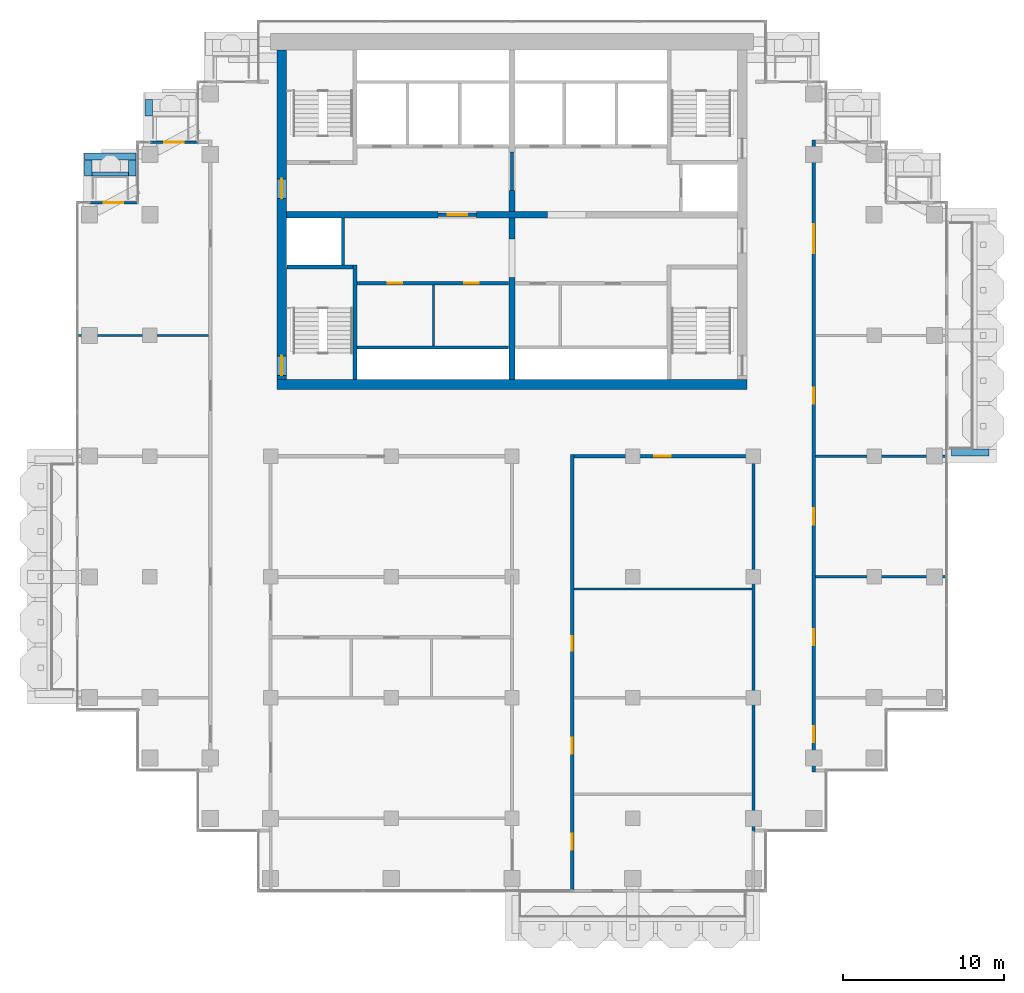
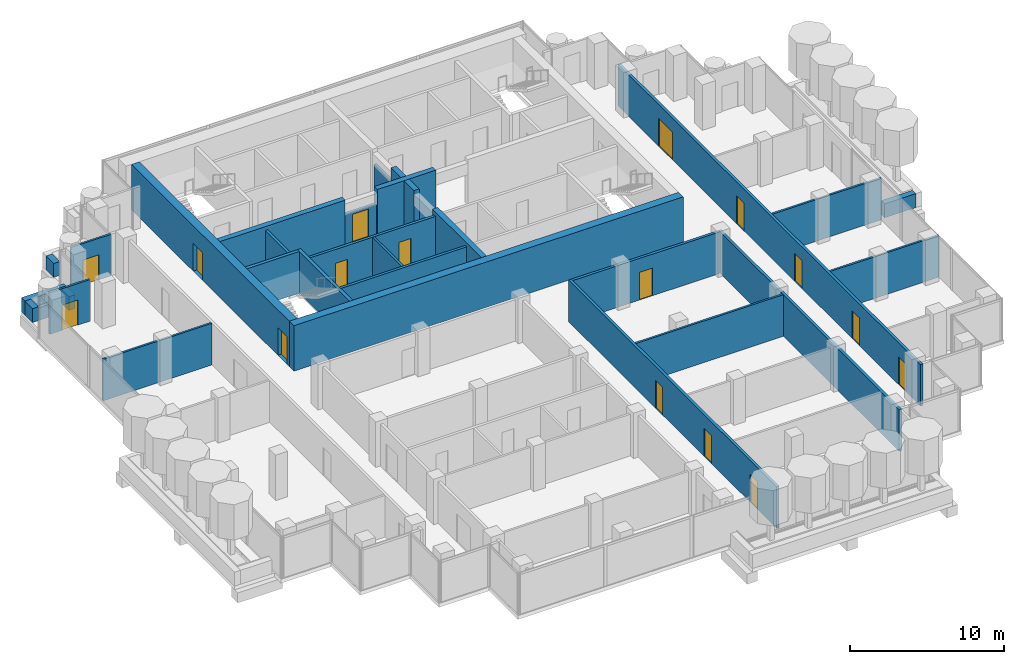
# One storey, part 12 of 18: 31 walls, 16 doors, 16 openings.
"""IFC4 building model written with IfcOpenShell, lengths in metres."""

from ifc_helpers import new_model, si_unit, direction, frame, frame_2d, origin, place, context, subcontext, project, spatial, rectangle, extrude, material, layer, layer_set, type_object, element, fill, save


model = new_model("IFC4")

# Units and contexts
model_context = context("Model", 3, precision=1e-05, world=origin(), true_north=direction((0.0, 1.0)))
body_context = subcontext(model_context, "Body", "Model", "MODEL_VIEW")
ifc_project = project(units=[si_unit("LENGTHUNIT", "METRE"), si_unit("AREAUNIT", "SQUARE_METRE"), si_unit("VOLUMEUNIT", "CUBIC_METRE"), si_unit("PLANEANGLEUNIT", "RADIAN"), si_unit("MASSUNIT", "GRAM", prefix="KILO")], contexts=[model_context])

# Site, building, storey
site_placement = place(None, origin())
site = spatial("IfcSite", under=ifc_project, at=site_placement, CompositionType="ELEMENT")
building_placement = place(site_placement, origin())
building = spatial("IfcBuilding", under=site, at=building_placement, Name="Pilkhan Gate Tower", CompositionType="ELEMENT")
storey_placement = place(building_placement, frame((0.0, 0.0, 203.10009765625)))
storey = spatial("IfcBuildingStorey", under=building, at=storey_placement, Name="L52", CompositionType="ELEMENT", Elevation=203.10009765625)

# Walls
ifc_material_1 = material(Name="Concrete C40/50", Category="concrete")
ifc_layer_1 = layer(ifc_material_1, 0.25)
ifc_layer_set_1 = layer_set([ifc_layer_1], Name="Balcony planter BP250")
wall_type_1 = type_object("IfcWallType", Name="Balcony planter BP250", PredefinedType="USERDEFINED", material=ifc_layer_set_1)
wall_1_placement = place(storey_placement, frame((48.89990234375, 85.02490234375, 0.0), z_axis=(0.0, 0.0, 1.0), x_axis=(1.0, 0.0, 0.0)))
element("IfcWall", 1, at=wall_1_placement, inside=storey, type_object=wall_type_1, Name="Balcony planter L52 N", ObjectType="BALCONY PLANTER", PredefinedType="USERDEFINED", context=body_context, shape_type="SweptSolid", body=[
    extrude(rectangle(XDim=2.280029296875, YDim=0.25, at=frame_2d((1.14013671875, 0.0))), origin(), (0.0, 0.0, 1.0), 1.0),
])
ifc_material_2 = material(Name="Board-marked Concrete C40/50", Category="concrete")
ifc_layer_2 = layer(ifc_material_2, 0.449951171875)
ifc_layer_set_2 = layer_set([ifc_layer_2], Name="Balcony planter lip BL450")
wall_type_2 = type_object("IfcWallType", Name="Balcony planter lip BL450", PredefinedType="USERDEFINED", material=ifc_layer_set_2)
wall_2_placement = place(storey_placement, frame((102.300048828125, 67.72509765625, 0.0), z_axis=(0.0, 0.0, 1.0), x_axis=(1.0, 0.0, 0.0)))
element("IfcWall", 2, at=wall_2_placement, inside=storey, type_object=wall_type_2, Name="Balcony planter L52 E", ObjectType="BALCONY PLANTER", PredefinedType="USERDEFINED", context=body_context, shape_type="SweptSolid", body=[
    extrude(rectangle(XDim=2.349853515625, YDim=0.449951171875, at=frame_2d((1.1748046875, 0.0))), origin(), (0.0, 0.0, 1.0), 1.099853515625),
])
wall_3_placement = place(storey_placement, frame((52.425048828125, 88.64990234375, 0.0), z_axis=(0.0, 0.0, 1.0), x_axis=(0.0, 1.0, 0.0)))
element("IfcWall", 3, at=wall_3_placement, inside=storey, type_object=wall_type_2, Name="Balcony planter L52 N", ObjectType="BALCONY PLANTER", PredefinedType="USERDEFINED", context=body_context, shape_type="SweptSolid", body=[
    extrude(rectangle(XDim=1.0, YDim=0.449951171875, at=frame_2d((0.5, 0.0))), origin(), (0.0, 0.0, 1.0), 1.099853515625),
])
wall_4_placement = place(storey_placement, frame((48.449951171875, 86.125, 0.0), z_axis=(0.0, 0.0, 1.0), x_axis=(1.0, 0.0, 0.0)))
element("IfcWall", 4, at=wall_4_placement, inside=storey, type_object=wall_type_2, Name="Balcony planter L52 N", ObjectType="BALCONY PLANTER", PredefinedType="USERDEFINED", context=body_context, shape_type="SweptSolid", body=[
    extrude(rectangle(XDim=3.179931640625, YDim=0.449951171875, at=frame_2d((1.58984375, 0.0))), origin(), (0.0, 0.0, 1.0), 1.099853515625),
])
for number, where, z_axis, x_axis, name in (
    (5, (48.675048828125, 84.89990234375, 0.0), (0.0, 0.0, 1.0), (0.0, 1.0, 0.0), "Balcony planter L52 N"),
    (6, (51.405029296875, 84.89990234375, 0.0), (0.0, 0.0, 1.0), (0.0, 1.0, 0.0), "Balcony planter L52 N"),
):
    element("IfcWall", number, at=place(storey_placement, frame(where, z_axis=z_axis, x_axis=x_axis)), inside=storey, type_object=wall_type_2, Name=name, ObjectType="BALCONY PLANTER", PredefinedType="USERDEFINED", context=body_context, shape_type="SweptSolid", body=[
        extrude(rectangle(XDim=1.0, YDim=0.449951171875, at=frame_2d((0.5, 0.0))), origin(), (0.0, 0.0, 1.0), 1.099853515625),
    ])
ifc_material_3 = material(Name="Concrete C50/60", Category="concrete")
ifc_layer_3 = layer(ifc_material_3, 0.60009765625)
ifc_layer_set_3 = layer_set([ifc_layer_3], Name="Core wall CW600 C50/60")
wall_type_3 = type_object("IfcWallType", Name="Core wall CW600 C50/60", PredefinedType="SHEAR", material=ifc_layer_set_3)
wall_5_placement = place(storey_placement, frame((60.39990234375, 71.949951171875, 0.0), z_axis=(0.0, 0.0, 1.0), x_axis=(1.0, 0.0, 0.0)))
element("IfcWall", 7, at=wall_5_placement, inside=storey, type_object=wall_type_3, Name="Core wall S L52", PredefinedType="SHEAR", context=body_context, shape_type="SweptSolid", body=[
    extrude(rectangle(XDim=29.2001953125, YDim=0.60009765625, at=frame_2d((14.60009765625, 0.0))), origin(), (0.0, 0.0, 1.0), 3.599853515625),
])

# Wall, openings, doors
wall_6_placement = place(storey_placement, frame((60.699951171875, 92.75, 0.0), z_axis=(0.0, 0.0, 1.0), x_axis=(0.0, -1.0, 0.0)))
wall_6 = element("IfcWall", 8, at=wall_6_placement, inside=storey, type_object=wall_type_3, Name="Core wall W L52", PredefinedType="SHEAR", context=body_context, shape_type="SweptSolid", body=[
    extrude(rectangle(XDim=20.5, YDim=0.60009765625, at=frame_2d((10.25, 0.0))), origin(), (0.0, 0.0, 1.0), 3.599853515625),
])
opening_1_placement = place(wall_6_placement, frame((19.02490234375, 0.0, 0.0)))
opening_1 = element("IfcOpeningElement", 9, at=opening_1_placement, cuts=wall_6, Name="Opening L52-04", PredefinedType="OPENING", context=body_context, shape_type="SweptSolid", body=[
    extrude(rectangle(XDim=1.199951171875, YDim=2.199951171875, at=frame_2d((0.60009765625, 1.10009765625))), frame((0.0, 0.31005859375, 0.0), z_axis=(0.0, -1.0, 0.0), x_axis=(1.0, 0.0, 0.0)), (0.0, 0.0, 1.0), 0.6201171875),
])
opening_2_placement = place(wall_6_placement, frame((8.02490234375, 0.0, 0.0)))
opening_2 = element("IfcOpeningElement", 10, at=opening_2_placement, cuts=wall_6, Name="Opening L52-07", PredefinedType="OPENING", context=body_context, shape_type="SweptSolid", body=[
    extrude(rectangle(XDim=1.199951171875, YDim=2.199951171875, at=frame_2d((0.60009765625, 1.10009765625))), frame((0.0, 0.31005859375, 0.0), z_axis=(0.0, -1.0, 0.0), x_axis=(1.0, 0.0, 0.0)), (0.0, 0.0, 1.0), 0.6201171875),
])
ifc_material_4 = material(Name="Steel door, 120 minute fire resisting, self-closing", Category="steel")
door_type_1 = type_object("IfcDoorType", Name="Firefighting lobby door D10 1200x2200", OperationType="SINGLE_SWING_LEFT", PredefinedType="DOOR", material=ifc_material_4)
door_1_placement = place(opening_2_placement, origin())
door_1 = element("IfcDoor", 11, at=door_1_placement, inside=storey, type_object=door_type_1, Name="Core door", OperationType="SINGLE_SWING_LEFT", OverallHeight=2.199951171875, OverallWidth=1.199951171875, PredefinedType="DOOR", context=body_context, shape_type="SweptSolid", body=[
    extrude(rectangle(XDim=1.199951171875, YDim=2.199951171875, at=frame_2d((0.60009765625, 1.10009765625))), frame((0.0, 0.02490234375, 0.0), z_axis=(0.0, -1.0, 0.0), x_axis=(1.0, 0.0, 0.0)), (0.0, 0.0, 1.0), 0.050048828125),
])
fill(opening_2, door_1)
ifc_material_5 = material(Name="Steel door, 120 minute fire resisting, panic bar", Category="steel")
door_type_2 = type_object("IfcDoorType", Name="Stair door D11 1200x2200", OperationType="SINGLE_SWING_LEFT", PredefinedType="DOOR", material=ifc_material_5)
door_2_placement = place(opening_1_placement, origin())
door_2 = element("IfcDoor", 12, at=door_2_placement, inside=storey, type_object=door_type_2, Name="Stair ST2 door", OperationType="SINGLE_SWING_LEFT", OverallHeight=2.199951171875, OverallWidth=1.199951171875, PredefinedType="DOOR", context=body_context, shape_type="SweptSolid", body=[
    extrude(rectangle(XDim=1.199951171875, YDim=2.199951171875, at=frame_2d((0.60009765625, 1.10009765625))), frame((0.0, 0.02490234375, 0.0), z_axis=(0.0, -1.0, 0.0), x_axis=(1.0, 0.0, 0.0)), (0.0, 0.0, 1.0), 0.050048828125),
])
fill(opening_1, door_2)

# Wall, opening, door
ifc_material_6 = material(Name="Dense blockwork", Category="masonry")
ifc_layer_4 = layer(ifc_material_6, 0.199951171875)
ifc_layer_set_4 = layer_set([ifc_layer_4], Name="Corridor wall FW200")
wall_type_4 = type_object("IfcWallType", Name="Corridor wall FW200", PredefinedType="PARTITIONING", material=ifc_layer_set_4)
wall_7_placement = place(storey_placement, frame((78.85009765625, 67.5, 0.0), z_axis=(0.0, 0.0, 1.0), x_axis=(1.0, 0.0, 0.0)))
wall_7 = element("IfcWall", 13, at=wall_7_placement, inside=storey, type_object=wall_type_4, Name="Partition L52", PredefinedType="PARTITIONING", context=body_context, shape_type="SweptSolid", body=[
    extrude(rectangle(XDim=11.0498046875, YDim=0.199951171875, at=frame_2d((5.52490234375, 0.0))), origin(), (0.0, 0.0, 1.0), 3.2998046875),
])
opening_3_placement = place(wall_7_placement, frame((5.0, 0.0, 0.0)))
opening_3 = element("IfcOpeningElement", 14, at=opening_3_placement, cuts=wall_7, Name="Opening L52-22", PredefinedType="OPENING", context=body_context, shape_type="SweptSolid", body=[
    extrude(rectangle(XDim=1.0, YDim=2.199951171875, at=frame_2d((0.5, 1.10009765625))), frame((0.0, 0.10986328125, 0.0), z_axis=(0.0, -1.0, 0.0), x_axis=(1.0, 0.0, 0.0)), (0.0, 0.0, 1.0), 0.219970703125),
])
ifc_material_7 = material(Name="Timber flush door, 30 minute fire resisting", Category="wood")
door_type_3 = type_object("IfcDoorType", Name="Room door D03 1000x2200", OperationType="SINGLE_SWING_LEFT", PredefinedType="DOOR", material=ifc_material_7)
door_3_placement = place(opening_3_placement, origin())
door_3 = element("IfcDoor", 15, at=door_3_placement, inside=storey, type_object=door_type_3, Name="Room door", OperationType="SINGLE_SWING_LEFT", OverallHeight=2.199951171875, OverallWidth=1.0, PredefinedType="DOOR", context=body_context, shape_type="SweptSolid", body=[
    extrude(rectangle(XDim=1.0, YDim=2.199951171875, at=frame_2d((0.5, 1.10009765625))), frame((0.0, 0.02490234375, 0.0), z_axis=(0.0, -1.0, 0.0), x_axis=(1.0, 0.0, 0.0)), (0.0, 0.0, 1.0), 0.050048828125),
])
fill(opening_3, door_3)

# Wall, openings, doors
wall_8_placement = place(storey_placement, frame((78.75, 40.5849609375, 0.0), z_axis=(0.0, 0.0, 1.0), x_axis=(0.0, 1.0, 0.0)))
wall_8 = element("IfcWall", 16, at=wall_8_placement, inside=storey, type_object=wall_type_4, Name="Partition L52", PredefinedType="PARTITIONING", context=body_context, shape_type="SweptSolid", body=[
    extrude(rectangle(XDim=27.01513671875, YDim=0.199951171875, at=frame_2d((13.507568359375, 0.0))), origin(), (0.0, 0.0, 1.0), 3.2998046875),
])
opening_4_placement = place(wall_8_placement, frame((2.449951171875, 0.0, 0.0)))
opening_4 = element("IfcOpeningElement", 17, at=opening_4_placement, cuts=wall_8, Name="Opening L52-19", PredefinedType="OPENING", context=body_context, shape_type="SweptSolid", body=[
    extrude(rectangle(XDim=1.0, YDim=2.199951171875, at=frame_2d((0.5, 1.10009765625))), frame((0.0, 0.10986328125, 0.0), z_axis=(0.0, -1.0, 0.0), x_axis=(1.0, 0.0, 0.0)), (0.0, 0.0, 1.0), 0.219970703125),
])
opening_5_placement = place(wall_8_placement, frame((8.4150390625, 0.0, 0.0)))
opening_5 = element("IfcOpeningElement", 18, at=opening_5_placement, cuts=wall_8, Name="Opening L52-20", PredefinedType="OPENING", context=body_context, shape_type="SweptSolid", body=[
    extrude(rectangle(XDim=1.0, YDim=2.199951171875, at=frame_2d((0.5, 1.10009765625))), frame((0.0, 0.10986328125, 0.0), z_axis=(0.0, -1.0, 0.0), x_axis=(1.0, 0.0, 0.0)), (0.0, 0.0, 1.0), 0.219970703125),
])
opening_6_placement = place(wall_8_placement, frame((14.81494140625, 0.0, 0.0)))
opening_6 = element("IfcOpeningElement", 19, at=opening_6_placement, cuts=wall_8, Name="Opening L52-21", PredefinedType="OPENING", context=body_context, shape_type="SweptSolid", body=[
    extrude(rectangle(XDim=0.89990234375, YDim=2.199951171875, at=frame_2d((0.449951171875, 1.10009765625))), frame((0.0, 0.10986328125, 0.0), z_axis=(0.0, -1.0, 0.0), x_axis=(1.0, 0.0, 0.0)), (0.0, 0.0, 1.0), 0.219970703125),
])
door_4_placement = place(opening_4_placement, origin())
door_4 = element("IfcDoor", 20, at=door_4_placement, inside=storey, type_object=door_type_3, Name="Room door", OperationType="SINGLE_SWING_LEFT", OverallHeight=2.199951171875, OverallWidth=1.0, PredefinedType="DOOR", context=body_context, shape_type="SweptSolid", body=[
    extrude(rectangle(XDim=1.0, YDim=2.199951171875, at=frame_2d((0.5, 1.10009765625))), frame((0.0, 0.02490234375, 0.0), z_axis=(0.0, -1.0, 0.0), x_axis=(1.0, 0.0, 0.0)), (0.0, 0.0, 1.0), 0.050048828125),
])
fill(opening_4, door_4)
door_5_placement = place(opening_5_placement, origin())
door_5 = element("IfcDoor", 21, at=door_5_placement, inside=storey, type_object=door_type_3, Name="Room door", OperationType="SINGLE_SWING_RIGHT", OverallHeight=2.199951171875, OverallWidth=1.0, PredefinedType="DOOR", context=body_context, shape_type="SweptSolid", body=[
    extrude(rectangle(XDim=1.0, YDim=2.199951171875, at=frame_2d((0.5, 1.10009765625))), frame((0.0, 0.02490234375, 0.0), z_axis=(0.0, -1.0, 0.0), x_axis=(1.0, 0.0, 0.0)), (0.0, 0.0, 1.0), 0.050048828125),
])
fill(opening_5, door_5)
ifc_material_8 = material(Name="Timber flush door, 60 minute fire resisting, self-closing", Category="wood")
door_type_4 = type_object("IfcDoorType", Name="Store door D05 900x2200", OperationType="SINGLE_SWING_LEFT", PredefinedType="DOOR", material=ifc_material_8)
door_6_placement = place(opening_6_placement, origin())
door_6 = element("IfcDoor", 22, at=door_6_placement, inside=storey, type_object=door_type_4, Name="Store door", OperationType="SINGLE_SWING_LEFT", OverallHeight=2.199951171875, OverallWidth=0.89990234375, PredefinedType="DOOR", context=body_context, shape_type="SweptSolid", body=[
    extrude(rectangle(XDim=0.89990234375, YDim=2.199951171875, at=frame_2d((0.449951171875, 1.10009765625))), frame((0.0, 0.02490234375, 0.0), z_axis=(0.0, -1.0, 0.0), x_axis=(1.0, 0.0, 0.0)), (0.0, 0.0, 1.0), 0.050048828125),
])
fill(opening_6, door_6)

# Wall
wall_9_placement = place(storey_placement, frame((90.0, 44.135009765625, 0.0), z_axis=(0.0, 0.0, 1.0), x_axis=(0.0, 1.0, 0.0)))
element("IfcWall", 23, at=wall_9_placement, inside=storey, type_object=wall_type_4, Name="Partition L52", PredefinedType="PARTITIONING", context=body_context, shape_type="SweptSolid", body=[
    extrude(rectangle(XDim=23.465087890625, YDim=0.199951171875, at=frame_2d((11.732421875, 0.0))), origin(), (0.0, 0.0, 1.0), 3.2998046875),
])

# Wall, openings, doors
wall_10_placement = place(storey_placement, frame((93.75, 47.8701171875, 0.0), z_axis=(0.0, 0.0, 1.0), x_axis=(0.0, 1.0, 0.0)))
wall_10 = element("IfcWall", 24, at=wall_10_placement, inside=storey, type_object=wall_type_4, Name="Partition L52", PredefinedType="PARTITIONING", context=body_context, shape_type="SweptSolid", body=[
    extrude(rectangle(XDim=39.259765625, YDim=0.199951171875, at=frame_2d((19.6298828125, 0.0))), origin(), (0.0, 0.0, 1.0), 3.2998046875),
])
opening_7_placement = place(wall_10_placement, frame((1.85009765625, 0.0, 0.0)))
opening_7 = element("IfcOpeningElement", 25, at=opening_7_placement, cuts=wall_10, Name="Opening L52-26", PredefinedType="OPENING", context=body_context, shape_type="SweptSolid", body=[
    extrude(rectangle(XDim=1.0, YDim=2.199951171875, at=frame_2d((0.5, 1.10009765625))), frame((0.0, 0.10986328125, 0.0), z_axis=(0.0, -1.0, 0.0), x_axis=(1.0, 0.0, 0.0)), (0.0, 0.0, 1.0), 0.219970703125),
])
opening_8_placement = place(wall_10_placement, frame((7.8798828125, 0.0, 0.0)))
opening_8 = element("IfcOpeningElement", 26, at=opening_8_placement, cuts=wall_10, Name="Opening L52-27", PredefinedType="OPENING", context=body_context, shape_type="SweptSolid", body=[
    extrude(rectangle(XDim=1.0, YDim=2.199951171875, at=frame_2d((0.5, 1.10009765625))), frame((0.0, 0.10986328125, 0.0), z_axis=(0.0, -1.0, 0.0), x_axis=(1.0, 0.0, 0.0)), (0.0, 0.0, 1.0), 0.219970703125),
])
opening_9_placement = place(wall_10_placement, frame((15.3798828125, 0.0, 0.0)))
opening_9 = element("IfcOpeningElement", 27, at=opening_9_placement, cuts=wall_10, Name="Opening L52-28", PredefinedType="OPENING", context=body_context, shape_type="SweptSolid", body=[
    extrude(rectangle(XDim=1.0, YDim=2.199951171875, at=frame_2d((0.5, 1.10009765625))), frame((0.0, 0.10986328125, 0.0), z_axis=(0.0, -1.0, 0.0), x_axis=(1.0, 0.0, 0.0)), (0.0, 0.0, 1.0), 0.219970703125),
])
opening_10_placement = place(wall_10_placement, frame((22.8798828125, 0.0, 0.0)))
opening_10 = element("IfcOpeningElement", 28, at=opening_10_placement, cuts=wall_10, Name="Opening L52-29", PredefinedType="OPENING", context=body_context, shape_type="SweptSolid", body=[
    extrude(rectangle(XDim=1.0, YDim=2.199951171875, at=frame_2d((0.5, 1.10009765625))), frame((0.0, 0.10986328125, 0.0), z_axis=(0.0, -1.0, 0.0), x_axis=(1.0, 0.0, 0.0)), (0.0, 0.0, 1.0), 0.219970703125),
])
opening_11_placement = place(wall_10_placement, frame((32.22998046875, 0.0, 0.0)))
opening_11 = element("IfcOpeningElement", 29, at=opening_11_placement, cuts=wall_10, Name="Opening L52-31", PredefinedType="OPENING", context=body_context, shape_type="SweptSolid", body=[
    extrude(rectangle(XDim=1.800048828125, YDim=2.199951171875, at=frame_2d((0.89990234375, 1.10009765625))), frame((0.0, 0.10986328125, 0.0), z_axis=(0.0, -1.0, 0.0), x_axis=(1.0, 0.0, 0.0)), (0.0, 0.0, 1.0), 0.219970703125),
])
ifc_material_9 = material(Name="Timber glazed double door, 30 minute fire resisting", Category="wood")
door_type_5 = type_object("IfcDoorType", Name="Double door D04 1800x2200", OperationType="DOUBLE_DOOR_SINGLE_SWING", PredefinedType="DOOR", material=ifc_material_9)
door_7_placement = place(opening_11_placement, origin())
door_7 = element("IfcDoor", 30, at=door_7_placement, inside=storey, type_object=door_type_5, Name="Double door", OperationType="DOUBLE_DOOR_SINGLE_SWING", OverallHeight=2.199951171875, OverallWidth=1.800048828125, PredefinedType="DOOR", context=body_context, shape_type="SweptSolid", body=[
    extrude(rectangle(XDim=1.800048828125, YDim=2.199951171875, at=frame_2d((0.89990234375, 1.10009765625))), frame((0.0, 0.02490234375, 0.0), z_axis=(0.0, -1.0, 0.0), x_axis=(1.0, 0.0, 0.0)), (0.0, 0.0, 1.0), 0.050048828125),
])
fill(opening_11, door_7)
door_8_placement = place(opening_7_placement, origin())
door_8 = element("IfcDoor", 31, at=door_8_placement, inside=storey, type_object=door_type_3, Name="Room door", OperationType="SINGLE_SWING_LEFT", OverallHeight=2.199951171875, OverallWidth=1.0, PredefinedType="DOOR", context=body_context, shape_type="SweptSolid", body=[
    extrude(rectangle(XDim=1.0, YDim=2.199951171875, at=frame_2d((0.5, 1.10009765625))), frame((0.0, 0.02490234375, 0.0), z_axis=(0.0, -1.0, 0.0), x_axis=(1.0, 0.0, 0.0)), (0.0, 0.0, 1.0), 0.050048828125),
])
fill(opening_7, door_8)
door_9_placement = place(opening_8_placement, origin())
door_9 = element("IfcDoor", 32, at=door_9_placement, inside=storey, type_object=door_type_3, Name="Room door", OperationType="SINGLE_SWING_LEFT", OverallHeight=2.199951171875, OverallWidth=1.0, PredefinedType="DOOR", context=body_context, shape_type="SweptSolid", body=[
    extrude(rectangle(XDim=1.0, YDim=2.199951171875, at=frame_2d((0.5, 1.10009765625))), frame((0.0, 0.02490234375, 0.0), z_axis=(0.0, -1.0, 0.0), x_axis=(1.0, 0.0, 0.0)), (0.0, 0.0, 1.0), 0.050048828125),
])
fill(opening_8, door_9)
door_10_placement = place(opening_9_placement, origin())
door_10 = element("IfcDoor", 33, at=door_10_placement, inside=storey, type_object=door_type_3, Name="Room door", OperationType="SINGLE_SWING_LEFT", OverallHeight=2.199951171875, OverallWidth=1.0, PredefinedType="DOOR", context=body_context, shape_type="SweptSolid", body=[
    extrude(rectangle(XDim=1.0, YDim=2.199951171875, at=frame_2d((0.5, 1.10009765625))), frame((0.0, 0.02490234375, 0.0), z_axis=(0.0, -1.0, 0.0), x_axis=(1.0, 0.0, 0.0)), (0.0, 0.0, 1.0), 0.050048828125),
])
fill(opening_9, door_10)
door_11_placement = place(opening_10_placement, origin())
door_11 = element("IfcDoor", 34, at=door_11_placement, inside=storey, type_object=door_type_3, Name="Room door", OperationType="SINGLE_SWING_LEFT", OverallHeight=2.199951171875, OverallWidth=1.0, PredefinedType="DOOR", context=body_context, shape_type="SweptSolid", body=[
    extrude(rectangle(XDim=1.0, YDim=2.199951171875, at=frame_2d((0.5, 1.10009765625))), frame((0.0, 0.02490234375, 0.0), z_axis=(0.0, -1.0, 0.0), x_axis=(1.0, 0.0, 0.0)), (0.0, 0.0, 1.0), 0.050048828125),
])
fill(opening_10, door_11)

# Wall, opening, door
ifc_material_10 = material(Name="Pale anodised aluminium, clear laminated glazing", Category="aluminium")
ifc_layer_5 = layer(ifc_material_10, 0.14990234375)
ifc_layer_set_5 = layer_set([ifc_layer_5], Name="Facade infill wall IW150")
wall_type_5 = type_object("IfcWallType", Name="Facade infill wall IW150", PredefinedType="SOLIDWALL", material=ifc_layer_set_5)
wall_11_placement = place(storey_placement, frame((52.5, 87.0, 0.0), z_axis=(0.0, 0.0, 1.0), x_axis=(1.0, 0.0, 0.0)))
wall_11 = element("IfcWall", 35, at=wall_11_placement, inside=storey, type_object=wall_type_5, Name="Infill wall L52 N", PredefinedType="SOLIDWALL", context=body_context, shape_type="SweptSolid", body=[
    extrude(rectangle(XDim=3.0, YDim=0.14990234375, at=frame_2d((1.5, 0.0))), origin(), (0.0, 0.0, 1.0), 3.2998046875),
])
opening_12_placement = place(wall_11_placement, frame((0.89990234375, 0.0, 0.0)))
opening_12 = element("IfcOpeningElement", 36, at=opening_12_placement, cuts=wall_11, Name="Opening D1L", PredefinedType="OPENING", context=body_context, shape_type="SweptSolid", body=[
    extrude(rectangle(XDim=1.199951171875, YDim=2.0, at=frame_2d((0.60009765625, 1.0))), frame((0.0, 0.0849609375, 0.0), z_axis=(0.0, -1.0, 0.0), x_axis=(1.0, 0.0, 0.0)), (0.0, 0.0, 1.0), 0.169921875),
])
ifc_material_11 = material(Name="Pale anodised aluminium, clear glazing", Category="aluminium")
door_type_6 = type_object("IfcDoorType", Name="Balcony door D1L 1200x2000", OperationType="SINGLE_SWING_LEFT", PredefinedType="DOOR", material=ifc_material_11)
door_12_placement = place(opening_12_placement, origin())
door_12 = element("IfcDoor", 37, at=door_12_placement, inside=storey, type_object=door_type_6, Name="Balcony door L52", OperationType="SINGLE_SWING_LEFT", OverallHeight=2.0, OverallWidth=1.199951171875, PredefinedType="DOOR", context=body_context, shape_type="SweptSolid", body=[
    extrude(rectangle(XDim=1.199951171875, YDim=2.0, at=frame_2d((0.60009765625, 1.0))), frame((0.0, 0.02490234375, 0.0), z_axis=(0.0, -1.0, 0.0), x_axis=(1.0, 0.0, 0.0)), (0.0, 0.0, 1.0), 0.050048828125),
])
fill(opening_12, door_12)

wall_12_placement = place(storey_placement, frame((48.75, 83.25, 0.0), z_axis=(0.0, 0.0, 1.0), x_axis=(1.0, 0.0, 0.0)))
wall_12 = element("IfcWall", 38, at=wall_12_placement, inside=storey, type_object=wall_type_5, Name="Infill wall L52 N", PredefinedType="SOLIDWALL", context=body_context, shape_type="SweptSolid", body=[
    extrude(rectangle(XDim=3.0, YDim=0.14990234375, at=frame_2d((1.5, 0.0))), origin(), (0.0, 0.0, 1.0), 3.2998046875),
])
opening_13_placement = place(wall_12_placement, frame((0.89990234375, 0.0, 0.0)))
opening_13 = element("IfcOpeningElement", 39, at=opening_13_placement, cuts=wall_12, Name="Opening D1L", PredefinedType="OPENING", context=body_context, shape_type="SweptSolid", body=[
    extrude(rectangle(XDim=1.199951171875, YDim=2.0, at=frame_2d((0.60009765625, 1.0))), frame((0.0, 0.0849609375, 0.0), z_axis=(0.0, -1.0, 0.0), x_axis=(1.0, 0.0, 0.0)), (0.0, 0.0, 1.0), 0.169921875),
])
door_13_placement = place(opening_13_placement, origin())
door_13 = element("IfcDoor", 40, at=door_13_placement, inside=storey, type_object=door_type_6, Name="Balcony door L52", OperationType="SINGLE_SWING_LEFT", OverallHeight=2.0, OverallWidth=1.199951171875, PredefinedType="DOOR", context=body_context, shape_type="SweptSolid", body=[
    extrude(rectangle(XDim=1.199951171875, YDim=2.0, at=frame_2d((0.60009765625, 1.0))), frame((0.0, 0.02490234375, 0.0), z_axis=(0.0, -1.0, 0.0), x_axis=(1.0, 0.0, 0.0)), (0.0, 0.0, 1.0), 0.050048828125),
])
fill(opening_13, door_13)

# Wall
ifc_layer_6 = layer(ifc_material_6, 0.199951171875)
ifc_layer_set_6 = layer_set([ifc_layer_6], Name="Lobby wall LW200")
wall_type_6 = type_object("IfcWallType", Name="Lobby wall LW200", PredefinedType="PARTITIONING", material=ifc_layer_set_6)
wall_13_placement = place(storey_placement, frame((65.375, 74.25, 0.0), z_axis=(0.0, 0.0, 1.0), x_axis=(1.0, 0.0, 0.0)))
element("IfcWall", 41, at=wall_13_placement, inside=storey, type_object=wall_type_6, Name="Partition L52", PredefinedType="PARTITIONING", context=body_context, shape_type="SweptSolid", body=[
    extrude(rectangle(XDim=9.4150390625, YDim=0.199951171875, at=frame_2d((4.70751953125, 0.0))), origin(), (0.0, 0.0, 1.0), 3.2998046875),
])

# Wall, openings, doors
wall_14_placement = place(storey_placement, frame((65.375, 78.25, 0.0), z_axis=(0.0, 0.0, 1.0), x_axis=(1.0, 0.0, 0.0)))
wall_14 = element("IfcWall", 42, at=wall_14_placement, inside=storey, type_object=wall_type_6, Name="Partition L52", PredefinedType="PARTITIONING", context=body_context, shape_type="SweptSolid", body=[
    extrude(rectangle(XDim=9.4150390625, YDim=0.199951171875, at=frame_2d((4.70751953125, 0.0))), origin(), (0.0, 0.0, 1.0), 3.2998046875),
])
opening_14_placement = place(wall_14_placement, frame((1.89990234375, 0.0, 0.0)))
opening_14 = element("IfcOpeningElement", 43, at=opening_14_placement, cuts=wall_14, Name="Opening L52-08", PredefinedType="OPENING", context=body_context, shape_type="SweptSolid", body=[
    extrude(rectangle(XDim=0.89990234375, YDim=2.199951171875, at=frame_2d((0.449951171875, 1.10009765625))), frame((0.0, 0.10986328125, 0.0), z_axis=(0.0, -1.0, 0.0), x_axis=(1.0, 0.0, 0.0)), (0.0, 0.0, 1.0), 0.219970703125),
])
opening_15_placement = place(wall_14_placement, frame((6.64990234375, 0.0, 0.0)))
opening_15 = element("IfcOpeningElement", 44, at=opening_15_placement, cuts=wall_14, Name="Opening L52-09", PredefinedType="OPENING", context=body_context, shape_type="SweptSolid", body=[
    extrude(rectangle(XDim=0.89990234375, YDim=2.199951171875, at=frame_2d((0.449951171875, 1.10009765625))), frame((0.0, 0.10986328125, 0.0), z_axis=(0.0, -1.0, 0.0), x_axis=(1.0, 0.0, 0.0)), (0.0, 0.0, 1.0), 0.219970703125),
])
door_14_placement = place(opening_14_placement, origin())
door_14 = element("IfcDoor", 45, at=door_14_placement, inside=storey, type_object=door_type_4, Name="Store door", OperationType="SINGLE_SWING_LEFT", OverallHeight=2.199951171875, OverallWidth=0.89990234375, PredefinedType="DOOR", context=body_context, shape_type="SweptSolid", body=[
    extrude(rectangle(XDim=0.89990234375, YDim=2.199951171875, at=frame_2d((0.449951171875, 1.10009765625))), frame((0.0, 0.02490234375, 0.0), z_axis=(0.0, -1.0, 0.0), x_axis=(1.0, 0.0, 0.0)), (0.0, 0.0, 1.0), 0.050048828125),
])
fill(opening_14, door_14)
door_15_placement = place(opening_15_placement, origin())
door_15 = element("IfcDoor", 46, at=door_15_placement, inside=storey, type_object=door_type_4, Name="Store door", OperationType="SINGLE_SWING_LEFT", OverallHeight=2.199951171875, OverallWidth=0.89990234375, PredefinedType="DOOR", context=body_context, shape_type="SweptSolid", body=[
    extrude(rectangle(XDim=0.89990234375, YDim=2.199951171875, at=frame_2d((0.449951171875, 1.10009765625))), frame((0.0, 0.02490234375, 0.0), z_axis=(0.0, -1.0, 0.0), x_axis=(1.0, 0.0, 0.0)), (0.0, 0.0, 1.0), 0.050048828125),
])
fill(opening_15, door_15)

# Wall, opening, door
wall_15_placement = place(storey_placement, frame((70.409912109375, 82.5, 0.0), z_axis=(0.0, 0.0, 1.0), x_axis=(1.0, 0.0, 0.0)))
wall_15 = element("IfcWall", 47, at=wall_15_placement, inside=storey, type_object=wall_type_6, Name="Partition L52", PredefinedType="PARTITIONING", context=body_context, shape_type="SweptSolid", body=[
    extrude(rectangle(XDim=2.380126953125, YDim=0.199951171875, at=frame_2d((1.18994140625, 0.0))), origin(), (0.0, 0.0, 1.0), 2.39990234375),
])
opening_16_placement = place(wall_15_placement, frame((0.60009765625, 0.0, 0.0)))
opening_16 = element("IfcOpeningElement", 48, at=opening_16_placement, cuts=wall_15, Name="Opening L52-01", PredefinedType="OPENING", context=body_context, shape_type="SweptSolid", body=[
    extrude(rectangle(XDim=1.199951171875, YDim=2.199951171875, at=frame_2d((0.60009765625, 1.10009765625))), frame((0.0, 0.10986328125, 0.0), z_axis=(0.0, -1.0, 0.0), x_axis=(1.0, 0.0, 0.0)), (0.0, 0.0, 1.0), 0.219970703125),
])
door_16_placement = place(opening_16_placement, origin())
door_16 = element("IfcDoor", 49, at=door_16_placement, inside=storey, type_object=door_type_1, Name="Firefighting lobby door", OperationType="SINGLE_SWING_LEFT", OverallHeight=2.199951171875, OverallWidth=1.199951171875, PredefinedType="DOOR", context=body_context, shape_type="SweptSolid", body=[
    extrude(rectangle(XDim=1.199951171875, YDim=2.199951171875, at=frame_2d((0.60009765625, 1.10009765625))), frame((0.0, 0.02490234375, 0.0), z_axis=(0.0, -1.0, 0.0), x_axis=(1.0, 0.0, 0.0)), (0.0, 0.0, 1.0), 0.050048828125),
])
fill(opening_16, door_16)

# Walls
wall_16_placement = place(storey_placement, frame((75.0, 84.010009765625, 0.0), z_axis=(0.0, 0.0, 1.0), x_axis=(0.0, 1.0, 0.0)))
element("IfcWall", 50, at=wall_16_placement, inside=storey, type_object=wall_type_6, Name="Partition L52", PredefinedType="PARTITIONING", context=body_context, shape_type="SweptSolid", body=[
    extrude(rectangle(XDim=2.3798828125, YDim=0.199951171875, at=frame_2d((1.18994140625, 0.0))), origin(), (0.0, 0.0, 1.0), 2.39990234375),
])
ifc_material_12 = material(Name="Blockwork partition, plastered both sides", Category="masonry")
ifc_layer_7 = layer(ifc_material_12, 0.14990234375)
ifc_layer_set_7 = layer_set([ifc_layer_7], Name="Partition PW150")
wall_type_7 = type_object("IfcWallType", Name="Partition PW150", PredefinedType="PARTITIONING", material=ifc_layer_set_7)
wall_17_placement = place(storey_placement, frame((78.85009765625, 59.25, 0.0), z_axis=(0.0, 0.0, 1.0), x_axis=(1.0, 0.0, 0.0)))
element("IfcWall", 51, at=wall_17_placement, inside=storey, type_object=wall_type_7, Name="Partition L52", PredefinedType="PARTITIONING", context=body_context, shape_type="SweptSolid", body=[
    extrude(rectangle(XDim=11.0498046875, YDim=0.14990234375, at=frame_2d((5.52490234375, 0.0))), origin(), (0.0, 0.0, 1.0), 3.2998046875),
])
for number, where, z_axis, x_axis, name in (
    (52, (93.85009765625, 60.0, 0.0), (0.0, 0.0, 1.0), (1.0, 0.0, 0.0), "Partition L52"),
    (53, (93.85009765625, 67.5, 0.0), (0.0, 0.0, 1.0), (1.0, 0.0, 0.0), "Partition L52"),
    (54, (47.985107421875, 75.0, 0.0), (0.0, 0.0, 1.0), (1.0, 0.0, 0.0), "Partition L52"),
):
    element("IfcWall", number, at=place(storey_placement, frame(where, z_axis=z_axis, x_axis=x_axis)), inside=storey, type_object=wall_type_7, Name=name, PredefinedType="PARTITIONING", context=body_context, shape_type="SweptSolid", body=[
        extrude(rectangle(XDim=8.164794921875, YDim=0.14990234375, at=frame_2d((4.08251953125, 0.0))), origin(), (0.0, 0.0, 1.0), 3.2998046875),
    ])
wall_18_placement = place(storey_placement, frame((70.125, 74.35009765625, 0.0), z_axis=(0.0, 0.0, 1.0), x_axis=(0.0, 1.0, 0.0)))
element("IfcWall", 55, at=wall_18_placement, inside=storey, type_object=wall_type_7, Name="Partition L52", PredefinedType="PARTITIONING", context=body_context, shape_type="SweptSolid", body=[
    extrude(rectangle(XDim=3.7998046875, YDim=0.14990234375, at=frame_2d((1.89990234375, 0.0))), origin(), (0.0, 0.0, 1.0), 3.2998046875),
])
ifc_material_13 = material(Name="Reinforced blockwork shaft wall, 120 minute fire resisting", Category="masonry")
ifc_layer_8 = layer(ifc_material_13, 0.199951171875)
ifc_layer_set_8 = layer_set([ifc_layer_8], Name="Shaft wall SW200")
wall_type_8 = type_object("IfcWallType", Name="Shaft wall SW200", PredefinedType="PARTITIONING", material=ifc_layer_set_8)
wall_19_placement = place(storey_placement, frame((64.5, 79.375, 0.0), z_axis=(0.0, 0.0, 1.0), x_axis=(0.0, 1.0, 0.0)))
element("IfcWall", 56, at=wall_19_placement, inside=storey, type_object=wall_type_8, Name="Partition L52", PredefinedType="PARTITIONING", context=body_context, shape_type="SweptSolid", body=[
    extrude(rectangle(XDim=2.9150390625, YDim=0.199951171875, at=frame_2d((1.45751953125, 0.0))), origin(), (0.0, 0.0, 1.0), 3.2998046875),
])
ifc_layer_9 = layer(ifc_material_3, 0.39990234375)
ifc_layer_set_9 = layer_set([ifc_layer_9], Name="Spine wall SW400 C50/60")
wall_type_9 = type_object("IfcWallType", Name="Spine wall SW400 C50/60", PredefinedType="SHEAR", material=ifc_layer_set_9)
wall_20_placement = place(storey_placement, frame((61.0, 82.5, 0.0), z_axis=(0.0, 0.0, 1.0), x_axis=(1.0, 0.0, 0.0)))
element("IfcWall", 57, at=wall_20_placement, inside=storey, type_object=wall_type_9, Name="Spine wall SP-EW1 L52", PredefinedType="SHEAR", context=body_context, shape_type="SweptSolid", body=[
    extrude(rectangle(XDim=9.39990234375, YDim=0.39990234375, at=frame_2d((4.699951171875, 0.0))), origin(), (0.0, 0.0, 1.0), 3.599853515625),
])
wall_21_placement = place(storey_placement, frame((72.800048828125, 82.5, 0.0), z_axis=(0.0, 0.0, 1.0), x_axis=(1.0, 0.0, 0.0)))
element("IfcWall", 58, at=wall_21_placement, inside=storey, type_object=wall_type_9, Name="Spine wall SP-EW2 L52", PredefinedType="SHEAR", context=body_context, shape_type="SweptSolid", body=[
    extrude(rectangle(XDim=4.39990234375, YDim=0.39990234375, at=frame_2d((2.199951171875, 0.0))), origin(), (0.0, 0.0, 1.0), 3.599853515625),
])
wall_22_placement = place(storey_placement, frame((75.0, 72.25, 0.0), z_axis=(0.0, 0.0, 1.0), x_axis=(0.0, 1.0, 0.0)))
element("IfcWall", 59, at=wall_22_placement, inside=storey, type_object=wall_type_9, Name="Spine wall SP-NS-S1 L52", PredefinedType="SHEAR", context=body_context, shape_type="SweptSolid", body=[
    extrude(rectangle(XDim=6.35009765625, YDim=0.39990234375, at=frame_2d((3.175048828125, 0.0))), origin(), (0.0, 0.0, 1.0), 3.599853515625),
])
for number, where, z_axis, x_axis, name in (
    (60, (75.0, 81.0, 0.0), (0.0, 0.0, 1.0), (0.0, 1.0, 0.0), "Spine wall SP-NS-S2 L52"),
    (61, (75.0, 82.699951171875, 0.0), (0.0, 0.0, 1.0), (0.0, 1.0, 0.0), "Spine wall SP-NS-N1 L52"),
):
    element("IfcWall", number, at=place(storey_placement, frame(where, z_axis=z_axis, x_axis=x_axis)), inside=storey, type_object=wall_type_9, Name=name, PredefinedType="SHEAR", context=body_context, shape_type="SweptSolid", body=[
        extrude(rectangle(XDim=1.300048828125, YDim=0.39990234375, at=frame_2d((0.64990234375, 0.0))), origin(), (0.0, 0.0, 1.0), 3.599853515625),
    ])
ifc_material_14 = material(Name="Reinforced blockwork, 120 minute fire resisting", Category="masonry")
ifc_layer_10 = layer(ifc_material_14, 0.25)
ifc_layer_set_10 = layer_set([ifc_layer_10], Name="Stair enclosure wall SE250")
wall_type_10 = type_object("IfcWallType", Name="Stair enclosure wall SE250", PredefinedType="PARTITIONING", material=ifc_layer_set_10)
wall_23_placement = place(storey_placement, frame((61.010009765625, 79.25, 0.0), z_axis=(0.0, 0.0, 1.0), x_axis=(1.0, 0.0, 0.0)))
element("IfcWall", 62, at=wall_23_placement, inside=storey, type_object=wall_type_10, Name="Partition L52", PredefinedType="PARTITIONING", context=body_context, shape_type="SweptSolid", body=[
    extrude(rectangle(XDim=4.114990234375, YDim=0.25, at=frame_2d((2.0576171875, 0.0))), origin(), (0.0, 0.0, 1.0), 3.2998046875),
])
wall_24_placement = place(storey_placement, frame((65.25, 72.260009765625, 0.0), z_axis=(0.0, 0.0, 1.0), x_axis=(0.0, 1.0, 0.0)))
element("IfcWall", 63, at=wall_24_placement, inside=storey, type_object=wall_type_10, Name="Partition L52", PredefinedType="PARTITIONING", context=body_context, shape_type="SweptSolid", body=[
    extrude(rectangle(XDim=7.114990234375, YDim=0.25, at=frame_2d((3.5576171875, 0.0))), origin(), (0.0, 0.0, 1.0), 3.2998046875),
])

save(model, "model.ifc")
